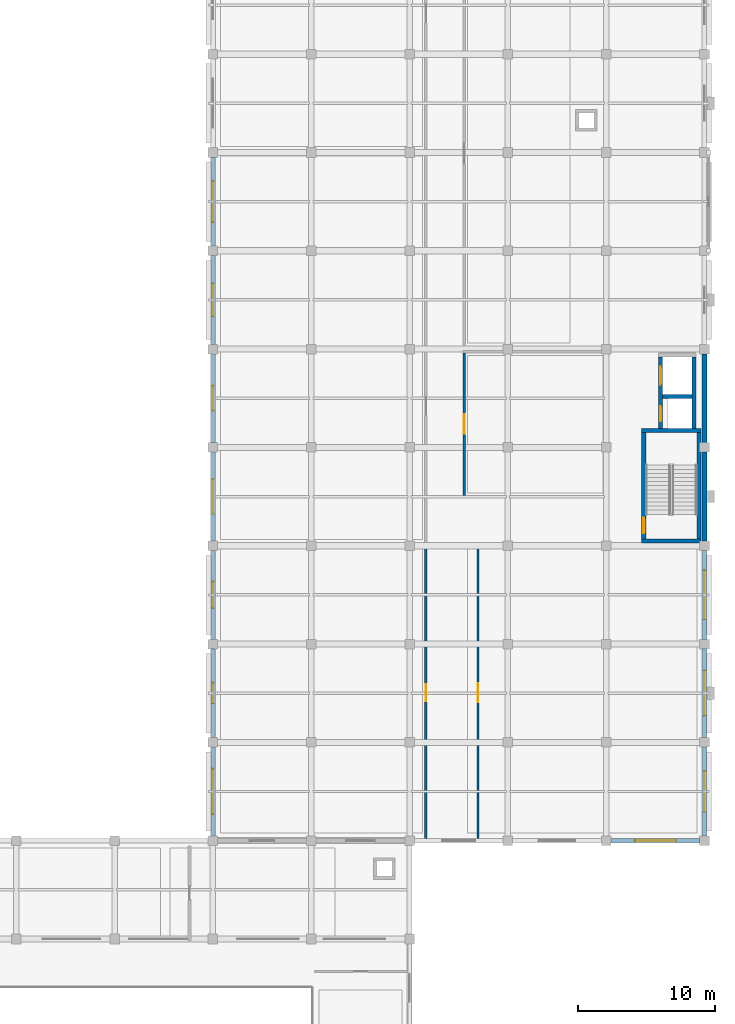
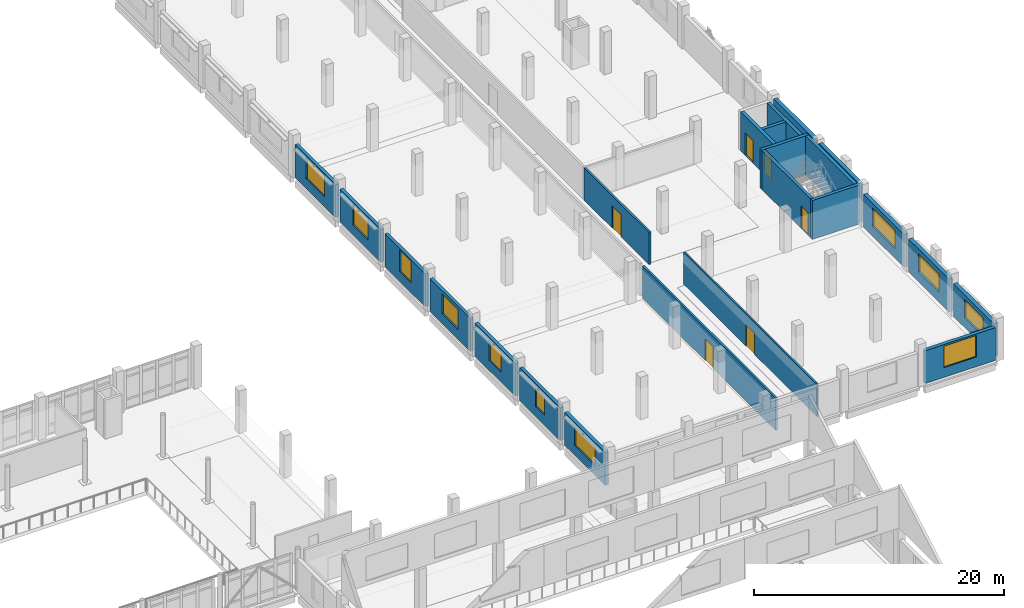
# One storey, part 46 of 62: 23 walls, 11 windows, 6 doors, 17 openings.
"""IFC4 building model written with IfcOpenShell, lengths in metres."""

from ifc_helpers import new_model, si_unit, direction, frame, frame_2d, origin, place, context, subcontext, project, spatial, rectangle, extrude, material, layer, layer_set, type_object, element, fill, save


model = new_model("IFC4")

# Units and contexts
model_context = context("Model", 3, precision=1e-05, world=origin(), true_north=direction((0.0, 1.0)))
body_context = subcontext(model_context, "Body", "Model", "MODEL_VIEW")
ifc_project = project(units=[si_unit("LENGTHUNIT", "METRE"), si_unit("AREAUNIT", "SQUARE_METRE"), si_unit("VOLUMEUNIT", "CUBIC_METRE"), si_unit("PLANEANGLEUNIT", "RADIAN"), si_unit("MASSUNIT", "GRAM", prefix="KILO")], contexts=[model_context])

# Site, building, storey
site_placement = place(None, origin())
site = spatial("IfcSite", under=ifc_project, at=site_placement, CompositionType="ELEMENT")
building_placement = place(site_placement, origin())
building = spatial("IfcBuilding", under=site, at=building_placement, Name="Valkovuoma Quantum and Materials Research Institute", CompositionType="ELEMENT")
storey_placement = place(building_placement, frame((0.0, 0.0, 8.9599609375)))
storey = spatial("IfcBuildingStorey", under=building, at=storey_placement, Name="L02", CompositionType="ELEMENT", Elevation=8.9599609375)

# Walls
ifc_material_1 = material(Name="Concrete C40/50", Category="concrete")
ifc_layer_1 = layer(ifc_material_1, 0.300048828125)
ifc_layer_set_1 = layer_set([ifc_layer_1], Name="Concrete C40/50")
wall_type_1 = type_object("IfcWallType", Name="Wall-W-COR300", PredefinedType="SHEAR", material=ifc_layer_set_1)
for number, where, z_axis, x_axis, name in (
    (1, (161.0, 57.949951171875, 0.0), (0.0, 0.0, 1.0), (1.0, 0.0, 0.0), "L02 core wall 0223"),
    (2, (161.0, 66.050048828125, 0.0), (0.0, 0.0, 1.0), (1.0, 0.0, 0.0), "L02 core wall 0224"),
):
    element("IfcWall", number, at=place(storey_placement, frame(where, z_axis=z_axis, x_axis=x_axis)), inside=storey, type_object=wall_type_1, Name=name, PredefinedType="SHEAR", context=body_context, shape_type="SweptSolid", body=[
        extrude(rectangle(XDim=4.35009765625, YDim=0.300048828125, at=frame_2d((2.175048828125, 0.0))), origin(), (0.0, 0.0, 1.0), 3.81005859375),
    ])

# Wall, opening, door
wall_1_placement = place(storey_placement, frame((161.14990234375, 58.10009765625, 0.0), z_axis=(0.0, 0.0, 1.0), x_axis=(0.0, 1.0, 0.0)))
wall_1 = element("IfcWall", 3, at=wall_1_placement, inside=storey, type_object=wall_type_1, Name="L02 core wall 0225", PredefinedType="SHEAR", context=body_context, shape_type="SweptSolid", body=[
    extrude(rectangle(XDim=7.7998046875, YDim=0.300048828125, at=frame_2d((3.89990234375, 0.0))), origin(), (0.0, 0.0, 1.0), 3.81005859375),
])
opening_1_placement = place(wall_1_placement, frame((0.39990234375, 0.0, 0.0)))
opening_1 = element("IfcOpeningElement", 4, at=opening_1_placement, cuts=wall_1, Name="Opening SD-037", PredefinedType="OPENING", context=body_context, shape_type="SweptSolid", body=[
    extrude(rectangle(XDim=1.14990234375, YDim=2.199951171875, at=frame_2d((0.574951171875, 1.10009765625))), frame((0.0, 0.16015625, 0.0), z_axis=(0.0, -1.0, 0.0), x_axis=(1.0, 0.0, 0.0)), (0.0, 0.0, 1.0), 0.320068359375),
])
ifc_material_2 = material(Name="Powder-coated steel and acoustic timber door assembly", Category="steel")
door_type_1 = type_object("IfcDoorType", Name="Door-DR-ST60", OperationType="NOTDEFINED", PredefinedType="DOOR", material=ifc_material_2)
door_1_placement = place(opening_1_placement, frame((1.14990234375, 0.0, 0.0), z_axis=(0.0, 0.0, 1.0), x_axis=(-1.0, 0.0, 0.0)))
door_1 = element("IfcDoor", 5, at=door_1_placement, inside=storey, type_object=door_type_1, Name="L02 ST-3 fire door", OperationType="SINGLE_SWING_RIGHT", OverallHeight=2.199951171875, OverallWidth=1.14990234375, PredefinedType="DOOR", context=body_context, shape_type="SweptSolid", body=[
    extrude(rectangle(XDim=1.14990234375, YDim=2.199951171875, at=frame_2d((0.574951171875, 1.10009765625))), frame((0.0, 0.02490234375, 0.0), z_axis=(0.0, -1.0, 0.0), x_axis=(1.0, 0.0, 0.0)), (0.0, 0.0, 1.0), 0.050048828125),
])
fill(opening_1, door_1)

# Walls
wall_2_placement = place(storey_placement, frame((165.199951171875, 58.10009765625, 0.0), z_axis=(0.0, 0.0, 1.0), x_axis=(0.0, 1.0, 0.0)))
element("IfcWall", 6, at=wall_2_placement, inside=storey, type_object=wall_type_1, Name="L02 core wall 0226", PredefinedType="SHEAR", context=body_context, shape_type="SweptSolid", body=[
    extrude(rectangle(XDim=7.7998046875, YDim=0.300048828125, at=frame_2d((3.89990234375, 0.0))), origin(), (0.0, 0.0, 1.0), 3.81005859375),
])
wall_3_placement = place(storey_placement, frame((162.52001953125, 68.52490234375, 0.0), z_axis=(0.0, 0.0, 1.0), x_axis=(1.0, 0.0, 0.0)))
element("IfcWall", 7, at=wall_3_placement, inside=storey, type_object=wall_type_1, Name="L02 core wall 0228", PredefinedType="SHEAR", context=body_context, shape_type="SweptSolid", body=[
    extrude(rectangle(XDim=2.159912109375, YDim=0.300048828125, at=frame_2d((1.080078125, 0.0))), origin(), (0.0, 0.0, 1.0), 3.81005859375),
])

# Wall, openings, doors
wall_4_placement = place(storey_placement, frame((162.3701171875, 66.199951171875, 0.0), z_axis=(0.0, 0.0, 1.0), x_axis=(0.0, 1.0, 0.0)))
wall_4 = element("IfcWall", 8, at=wall_4_placement, inside=storey, type_object=wall_type_1, Name="L02 core wall 0229", PredefinedType="SHEAR", context=body_context, shape_type="SweptSolid", body=[
    extrude(rectangle(XDim=5.22998046875, YDim=0.300048828125, at=frame_2d((2.614990234375, 0.0))), origin(), (0.0, 0.0, 1.0), 3.81005859375),
])
opening_2_placement = place(wall_4_placement, frame((0.5, 0.0, 0.0)))
opening_2 = element("IfcOpeningElement", 9, at=opening_2_placement, cuts=wall_4, Name="Opening LD-040", PredefinedType="OPENING", context=body_context, shape_type="SweptSolid", body=[
    extrude(rectangle(XDim=1.10009765625, YDim=2.199951171875, at=frame_2d((0.550048828125, 1.10009765625))), frame((0.0, 0.16015625, 0.0), z_axis=(0.0, -1.0, 0.0), x_axis=(1.0, 0.0, 0.0)), (0.0, 0.0, 1.0), 0.320068359375),
])
opening_3_placement = place(wall_4_placement, frame((3.199951171875, 0.0, 0.0)))
opening_3 = element("IfcOpeningElement", 10, at=opening_3_placement, cuts=wall_4, Name="Opening LD-041", PredefinedType="OPENING", context=body_context, shape_type="SweptSolid", body=[
    extrude(rectangle(XDim=1.300048828125, YDim=2.199951171875, at=frame_2d((0.64990234375, 1.10009765625))), frame((0.0, 0.16015625, 0.0), z_axis=(0.0, -1.0, 0.0), x_axis=(1.0, 0.0, 0.0)), (0.0, 0.0, 1.0), 0.320068359375),
])
ifc_material_3 = material(Name="Powder-coated steel and acoustic timber door assembly", Category="steel")
door_type_2 = type_object("IfcDoorType", Name="Door-DR-LD01", OperationType="NOTDEFINED", PredefinedType="DOOR", material=ifc_material_3)
door_2_placement = place(opening_2_placement, origin())
door_2 = element("IfcDoor", 11, at=door_2_placement, inside=storey, type_object=door_type_2, Name="L02 LIFT-P3 sliding landing door", OperationType="SLIDING_TO_LEFT", OverallHeight=2.199951171875, OverallWidth=1.10009765625, PredefinedType="DOOR", context=body_context, shape_type="SweptSolid", body=[
    extrude(rectangle(XDim=1.10009765625, YDim=2.199951171875, at=frame_2d((0.550048828125, 1.10009765625))), frame((0.0, 0.02490234375, 0.0), z_axis=(0.0, -1.0, 0.0), x_axis=(1.0, 0.0, 0.0)), (0.0, 0.0, 1.0), 0.050048828125),
])
fill(opening_2, door_2)
ifc_material_4 = material(Name="Powder-coated steel and acoustic timber door assembly", Category="steel")
door_type_3 = type_object("IfcDoorType", Name="Door-DR-LD02", OperationType="NOTDEFINED", PredefinedType="DOOR", material=ifc_material_4)
door_3_placement = place(opening_3_placement, origin())
door_3 = element("IfcDoor", 12, at=door_3_placement, inside=storey, type_object=door_type_3, Name="L02 LIFT-G1 sliding landing door", OperationType="SLIDING_TO_LEFT", OverallHeight=2.199951171875, OverallWidth=1.300048828125, PredefinedType="DOOR", context=body_context, shape_type="SweptSolid", body=[
    extrude(rectangle(XDim=1.300048828125, YDim=2.199951171875, at=frame_2d((0.64990234375, 1.10009765625))), frame((0.0, 0.02490234375, 0.0), z_axis=(0.0, -1.0, 0.0), x_axis=(1.0, 0.0, 0.0)), (0.0, 0.0, 1.0), 0.050048828125),
])
fill(opening_3, door_3)

# Wall
wall_5_placement = place(storey_placement, frame((164.830078125, 66.199951171875, 0.0), z_axis=(0.0, 0.0, 1.0), x_axis=(0.0, 1.0, 0.0)))
element("IfcWall", 13, at=wall_5_placement, inside=storey, type_object=wall_type_1, Name="L02 core wall 0230", PredefinedType="SHEAR", context=body_context, shape_type="SweptSolid", body=[
    extrude(rectangle(XDim=5.22998046875, YDim=0.300048828125, at=frame_2d((2.614990234375, 0.0))), origin(), (0.0, 0.0, 1.0), 3.81005859375),
])

# Wall, opening, window
ifc_material_5 = material(Name="Precast concrete C40/50", Category="concrete")
ifc_layer_2 = layer(ifc_material_5, 0.300048828125)
ifc_layer_set_2 = layer_set([ifc_layer_2], Name="Precast concrete C40/50")
wall_type_2 = type_object("IfcWallType", Name="Wall-W-EXT300", PredefinedType="SOLIDWALL", material=ifc_layer_set_2)
wall_6_placement = place(storey_placement, frame((129.60009765625, 36.340087890625, 0.0), z_axis=(0.0, 0.0, 1.0), x_axis=(0.0, 1.0, 0.0)))
wall_6 = element("IfcWall", 14, at=wall_6_placement, inside=storey, type_object=wall_type_2, Name="L02 exterior wall 0253", PredefinedType="SOLIDWALL", context=body_context, shape_type="SweptSolid", body=[
    extrude(rectangle(XDim=6.52001953125, YDim=0.300048828125, at=frame_2d((3.260009765625, 0.0))), origin(), (0.0, 0.0, 1.0), 3.2099609375),
])
opening_4_placement = place(wall_6_placement, frame((1.610107421875, 0.0, 0.949951171875)))
opening_4 = element("IfcOpeningElement", 15, at=opening_4_placement, cuts=wall_6, Name="Opening WN-WL13", PredefinedType="OPENING", context=body_context, shape_type="SweptSolid", body=[
    extrude(rectangle(XDim=3.300048828125, YDim=1.800048828125, at=frame_2d((1.64990234375, 0.89990234375))), frame((0.0, 0.16015625, 0.0), z_axis=(0.0, -1.0, 0.0), x_axis=(1.0, 0.0, 0.0)), (0.0, 0.0, 1.0), 0.320068359375),
])
ifc_material_6 = material(Name="Triple low-E argon glazing in thermally broken aluminium frame", Category="aluminium")
window_type_1 = type_object("IfcWindowType", Name="Win-WN-WL13", PartitioningType="SINGLE_PANEL", PredefinedType="WINDOW", material=ifc_material_6)
window_1_placement = place(opening_4_placement, origin())
window_1 = element("IfcWindow", 16, at=window_1_placement, inside=storey, type_object=window_type_1, Name="L02 window 0269", OverallHeight=1.800048828125, OverallWidth=3.300048828125, PartitioningType="SINGLE_PANEL", PredefinedType="WINDOW", context=body_context, shape_type="SweptSolid", body=[
    extrude(rectangle(XDim=3.300048828125, YDim=1.800048828125, at=frame_2d((1.64990234375, 0.89990234375))), frame((0.0, 0.030029296875, 0.0), z_axis=(0.0, -1.0, 0.0), x_axis=(1.0, 0.0, 0.0)), (0.0, 0.0, 1.0), 0.06005859375),
])
fill(opening_4, window_1)

wall_7_placement = place(storey_placement, frame((129.60009765625, 43.5400390625, 0.0), z_axis=(0.0, 0.0, 1.0), x_axis=(0.0, 1.0, 0.0)))
wall_7 = element("IfcWall", 17, at=wall_7_placement, inside=storey, type_object=wall_type_2, Name="L02 exterior wall 0254", PredefinedType="SOLIDWALL", context=body_context, shape_type="SweptSolid", body=[
    extrude(rectangle(XDim=6.52001953125, YDim=0.300048828125, at=frame_2d((3.260009765625, 0.0))), origin(), (0.0, 0.0, 1.0), 3.2099609375),
])
opening_5_placement = place(wall_7_placement, frame((2.510009765625, 0.0, 0.949951171875)))
opening_5 = element("IfcOpeningElement", 18, at=opening_5_placement, cuts=wall_7, Name="Opening WN-WL15", PredefinedType="OPENING", context=body_context, shape_type="SweptSolid", body=[
    extrude(rectangle(XDim=1.5, YDim=1.800048828125, at=frame_2d((0.75, 0.89990234375))), frame((0.0, 0.16015625, 0.0), z_axis=(0.0, -1.0, 0.0), x_axis=(1.0, 0.0, 0.0)), (0.0, 0.0, 1.0), 0.320068359375),
])
ifc_material_7 = material(Name="Triple low-E argon glazing in thermally broken aluminium frame", Category="aluminium")
window_type_2 = type_object("IfcWindowType", Name="Win-WN-WL15", PartitioningType="SINGLE_PANEL", PredefinedType="WINDOW", material=ifc_material_7)
window_2_placement = place(opening_5_placement, origin())
window_2 = element("IfcWindow", 19, at=window_2_placement, inside=storey, type_object=window_type_2, Name="L02 window 0270", OverallHeight=1.800048828125, OverallWidth=1.5, PartitioningType="SINGLE_PANEL", PredefinedType="WINDOW", context=body_context, shape_type="SweptSolid", body=[
    extrude(rectangle(XDim=1.5, YDim=1.800048828125, at=frame_2d((0.75, 0.89990234375))), frame((0.0, 0.030029296875, 0.0), z_axis=(0.0, -1.0, 0.0), x_axis=(1.0, 0.0, 0.0)), (0.0, 0.0, 1.0), 0.06005859375),
])
fill(opening_5, window_2)

wall_8_placement = place(storey_placement, frame((129.60009765625, 50.739990234375, 0.0), z_axis=(0.0, 0.0, 1.0), x_axis=(0.0, 1.0, 0.0)))
wall_8 = element("IfcWall", 20, at=wall_8_placement, inside=storey, type_object=wall_type_2, Name="L02 exterior wall 0255", PredefinedType="SOLIDWALL", context=body_context, shape_type="SweptSolid", body=[
    extrude(rectangle(XDim=6.52001953125, YDim=0.300048828125, at=frame_2d((3.260009765625, 0.0))), origin(), (0.0, 0.0, 1.0), 3.2099609375),
])
opening_6_placement = place(wall_8_placement, frame((2.284912109375, 0.0, 0.949951171875)))
opening_6 = element("IfcOpeningElement", 21, at=opening_6_placement, cuts=wall_8, Name="Opening WN-WL17", PredefinedType="OPENING", context=body_context, shape_type="SweptSolid", body=[
    extrude(rectangle(XDim=1.949951171875, YDim=1.949951171875, at=frame_2d((0.97509765625, 0.97509765625))), frame((0.0, 0.16015625, 0.0), z_axis=(0.0, -1.0, 0.0), x_axis=(1.0, 0.0, 0.0)), (0.0, 0.0, 1.0), 0.320068359375),
])
ifc_material_8 = material(Name="Triple low-E argon glazing in thermally broken aluminium frame", Category="aluminium")
window_type_3 = type_object("IfcWindowType", Name="Win-WN-WL17", PartitioningType="SINGLE_PANEL", PredefinedType="WINDOW", material=ifc_material_8)
window_3_placement = place(opening_6_placement, origin())
window_3 = element("IfcWindow", 22, at=window_3_placement, inside=storey, type_object=window_type_3, Name="L02 window 0271", OverallHeight=1.949951171875, OverallWidth=1.949951171875, PartitioningType="SINGLE_PANEL", PredefinedType="WINDOW", context=body_context, shape_type="SweptSolid", body=[
    extrude(rectangle(XDim=1.949951171875, YDim=1.949951171875, at=frame_2d((0.97509765625, 0.97509765625))), frame((0.0, 0.030029296875, 0.0), z_axis=(0.0, -1.0, 0.0), x_axis=(1.0, 0.0, 0.0)), (0.0, 0.0, 1.0), 0.06005859375),
])
fill(opening_6, window_3)

wall_9_placement = place(storey_placement, frame((129.60009765625, 57.93994140625, 0.0), z_axis=(0.0, 0.0, 1.0), x_axis=(0.0, 1.0, 0.0)))
wall_9 = element("IfcWall", 23, at=wall_9_placement, inside=storey, type_object=wall_type_2, Name="L02 exterior wall 0256", PredefinedType="SOLIDWALL", context=body_context, shape_type="SweptSolid", body=[
    extrude(rectangle(XDim=6.52001953125, YDim=0.300048828125, at=frame_2d((3.260009765625, 0.0))), origin(), (0.0, 0.0, 1.0), 3.2099609375),
])
opening_7_placement = place(wall_9_placement, frame((1.985107421875, 0.0, 0.949951171875)))
opening_7 = element("IfcOpeningElement", 24, at=opening_7_placement, cuts=wall_9, Name="Opening WN-WL19", PredefinedType="OPENING", context=body_context, shape_type="SweptSolid", body=[
    extrude(rectangle(XDim=2.550048828125, YDim=1.949951171875, at=frame_2d((1.27490234375, 0.97509765625))), frame((0.0, 0.16015625, 0.0), z_axis=(0.0, -1.0, 0.0), x_axis=(1.0, 0.0, 0.0)), (0.0, 0.0, 1.0), 0.320068359375),
])
ifc_material_9 = material(Name="Triple low-E argon glazing in thermally broken aluminium frame", Category="aluminium")
window_type_4 = type_object("IfcWindowType", Name="Win-WN-WL19", PartitioningType="SINGLE_PANEL", PredefinedType="WINDOW", material=ifc_material_9)
window_4_placement = place(opening_7_placement, origin())
window_4 = element("IfcWindow", 25, at=window_4_placement, inside=storey, type_object=window_type_4, Name="L02 window 0272", OverallHeight=1.949951171875, OverallWidth=2.550048828125, PartitioningType="SINGLE_PANEL", PredefinedType="WINDOW", context=body_context, shape_type="SweptSolid", body=[
    extrude(rectangle(XDim=2.550048828125, YDim=1.949951171875, at=frame_2d((1.27490234375, 0.97509765625))), frame((0.0, 0.030029296875, 0.0), z_axis=(0.0, -1.0, 0.0), x_axis=(1.0, 0.0, 0.0)), (0.0, 0.0, 1.0), 0.06005859375),
])
fill(opening_7, window_4)

wall_10_placement = place(storey_placement, frame((129.60009765625, 65.139892578125, 0.0), z_axis=(0.0, 0.0, 1.0), x_axis=(0.0, 1.0, 0.0)))
wall_10 = element("IfcWall", 26, at=wall_10_placement, inside=storey, type_object=wall_type_2, Name="L02 exterior wall 0257", PredefinedType="SOLIDWALL", context=body_context, shape_type="SweptSolid", body=[
    extrude(rectangle(XDim=6.52001953125, YDim=0.300048828125, at=frame_2d((3.260009765625, 0.0))), origin(), (0.0, 0.0, 1.0), 3.2099609375),
])
opening_8_placement = place(wall_10_placement, frame((2.360107421875, 0.0, 0.949951171875)))
opening_8 = element("IfcOpeningElement", 27, at=opening_8_placement, cuts=wall_10, Name="Opening WN-WL01", PredefinedType="OPENING", context=body_context, shape_type="SweptSolid", body=[
    extrude(rectangle(XDim=1.800048828125, YDim=2.10009765625, at=frame_2d((0.89990234375, 1.050048828125))), frame((0.0, 0.16015625, 0.0), z_axis=(0.0, -1.0, 0.0), x_axis=(1.0, 0.0, 0.0)), (0.0, 0.0, 1.0), 0.320068359375),
])
ifc_material_10 = material(Name="Triple low-E argon glazing in thermally broken aluminium frame", Category="aluminium")
window_type_5 = type_object("IfcWindowType", Name="Win-WN-WL01", PartitioningType="SINGLE_PANEL", PredefinedType="WINDOW", material=ifc_material_10)
window_5_placement = place(opening_8_placement, origin())
window_5 = element("IfcWindow", 28, at=window_5_placement, inside=storey, type_object=window_type_5, Name="L02 window 0273", OverallHeight=2.10009765625, OverallWidth=1.800048828125, PartitioningType="SINGLE_PANEL", PredefinedType="WINDOW", context=body_context, shape_type="SweptSolid", body=[
    extrude(rectangle(XDim=1.800048828125, YDim=2.10009765625, at=frame_2d((0.89990234375, 1.050048828125))), frame((0.0, 0.030029296875, 0.0), z_axis=(0.0, -1.0, 0.0), x_axis=(1.0, 0.0, 0.0)), (0.0, 0.0, 1.0), 0.06005859375),
])
fill(opening_8, window_5)

wall_11_placement = place(storey_placement, frame((129.60009765625, 72.340087890625, 0.0), z_axis=(0.0, 0.0, 1.0), x_axis=(0.0, 1.0, 0.0)))
wall_11 = element("IfcWall", 29, at=wall_11_placement, inside=storey, type_object=wall_type_2, Name="L02 exterior wall 0258", PredefinedType="SOLIDWALL", context=body_context, shape_type="SweptSolid", body=[
    extrude(rectangle(XDim=6.52001953125, YDim=0.300048828125, at=frame_2d((3.260009765625, 0.0))), origin(), (0.0, 0.0, 1.0), 3.2099609375),
])
opening_9_placement = place(wall_11_placement, frame((2.06005859375, 0.0, 0.949951171875)))
opening_9 = element("IfcOpeningElement", 30, at=opening_9_placement, cuts=wall_11, Name="Opening WN-WL03", PredefinedType="OPENING", context=body_context, shape_type="SweptSolid", body=[
    extrude(rectangle(XDim=2.39990234375, YDim=2.10009765625, at=frame_2d((1.199951171875, 1.050048828125))), frame((0.0, 0.16015625, 0.0), z_axis=(0.0, -1.0, 0.0), x_axis=(1.0, 0.0, 0.0)), (0.0, 0.0, 1.0), 0.320068359375),
])
ifc_material_11 = material(Name="Triple low-E argon glazing in thermally broken aluminium frame", Category="aluminium")
window_type_6 = type_object("IfcWindowType", Name="Win-WN-WL03", PartitioningType="SINGLE_PANEL", PredefinedType="WINDOW", material=ifc_material_11)
window_6_placement = place(opening_9_placement, origin())
window_6 = element("IfcWindow", 31, at=window_6_placement, inside=storey, type_object=window_type_6, Name="L02 window 0274", OverallHeight=2.10009765625, OverallWidth=2.39990234375, PartitioningType="SINGLE_PANEL", PredefinedType="WINDOW", context=body_context, shape_type="SweptSolid", body=[
    extrude(rectangle(XDim=2.39990234375, YDim=2.10009765625, at=frame_2d((1.199951171875, 1.050048828125))), frame((0.0, 0.030029296875, 0.0), z_axis=(0.0, -1.0, 0.0), x_axis=(1.0, 0.0, 0.0)), (0.0, 0.0, 1.0), 0.06005859375),
])
fill(opening_9, window_6)

wall_12_placement = place(storey_placement, frame((129.60009765625, 79.5400390625, 0.0), z_axis=(0.0, 0.0, 1.0), x_axis=(0.0, 1.0, 0.0)))
wall_12 = element("IfcWall", 32, at=wall_12_placement, inside=storey, type_object=wall_type_2, Name="L02 exterior wall 0259", PredefinedType="SOLIDWALL", context=body_context, shape_type="SweptSolid", body=[
    extrude(rectangle(XDim=6.52001953125, YDim=0.300048828125, at=frame_2d((3.260009765625, 0.0))), origin(), (0.0, 0.0, 1.0), 3.2099609375),
])
opening_10_placement = place(wall_12_placement, frame((1.760009765625, 0.0, 0.949951171875)))
opening_10 = element("IfcOpeningElement", 33, at=opening_10_placement, cuts=wall_12, Name="Opening WN-WL05", PredefinedType="OPENING", context=body_context, shape_type="SweptSolid", body=[
    extrude(rectangle(XDim=3.0, YDim=2.10009765625, at=frame_2d((1.5, 1.050048828125))), frame((0.0, 0.16015625, 0.0), z_axis=(0.0, -1.0, 0.0), x_axis=(1.0, 0.0, 0.0)), (0.0, 0.0, 1.0), 0.320068359375),
])
ifc_material_12 = material(Name="Triple low-E argon glazing in thermally broken aluminium frame", Category="aluminium")
window_type_7 = type_object("IfcWindowType", Name="Win-WN-WL05", PartitioningType="SINGLE_PANEL", PredefinedType="WINDOW", material=ifc_material_12)
window_7_placement = place(opening_10_placement, origin())
window_7 = element("IfcWindow", 34, at=window_7_placement, inside=storey, type_object=window_type_7, Name="L02 window 0275", OverallHeight=2.10009765625, OverallWidth=3.0, PartitioningType="SINGLE_PANEL", PredefinedType="WINDOW", context=body_context, shape_type="SweptSolid", body=[
    extrude(rectangle(XDim=3.0, YDim=2.10009765625, at=frame_2d((1.5, 1.050048828125))), frame((0.0, 0.030029296875, 0.0), z_axis=(0.0, -1.0, 0.0), x_axis=(1.0, 0.0, 0.0)), (0.0, 0.0, 1.0), 0.06005859375),
])
fill(opening_10, window_7)

ifc_material_13 = material(Name="Precast concrete C40/50", Category="concrete")
ifc_layer_3 = layer(ifc_material_13, 0.320068359375)
ifc_layer_set_3 = layer_set([ifc_layer_3], Name="Precast concrete C40/50")
wall_type_3 = type_object("IfcWallType", Name="Wall-W-EXT320", PredefinedType="SOLIDWALL", material=ifc_layer_set_3)
wall_13_placement = place(storey_placement, frame((158.739990234375, 36.0, 0.0), z_axis=(0.0, 0.0, 1.0), x_axis=(1.0, 0.0, 0.0)))
wall_13 = element("IfcWall", 35, at=wall_13_placement, inside=storey, type_object=wall_type_3, Name="L02 exterior wall 0268", PredefinedType="SOLIDWALL", context=body_context, shape_type="SweptSolid", body=[
    extrude(rectangle(XDim=6.52001953125, YDim=0.320068359375, at=frame_2d((3.260009765625, 0.0))), origin(), (0.0, 0.0, 1.0), 3.2099609375),
])
opening_11_placement = place(wall_13_placement, frame((1.760009765625, 0.0, 0.949951171875)))
opening_11 = element("IfcOpeningElement", 36, at=opening_11_placement, cuts=wall_13, Name="Opening WN-WL05", PredefinedType="OPENING", context=body_context, shape_type="SweptSolid", body=[
    extrude(rectangle(XDim=3.0, YDim=2.10009765625, at=frame_2d((1.5, 1.050048828125))), frame((0.0, 0.169921875, 0.0), z_axis=(0.0, -1.0, 0.0), x_axis=(1.0, 0.0, 0.0)), (0.0, 0.0, 1.0), 0.340087890625),
])
window_8_placement = place(opening_11_placement, origin())
window_8 = element("IfcWindow", 37, at=window_8_placement, inside=storey, type_object=window_type_7, Name="L02 window 0284", OverallHeight=2.10009765625, OverallWidth=3.0, PartitioningType="SINGLE_PANEL", PredefinedType="WINDOW", context=body_context, shape_type="SweptSolid", body=[
    extrude(rectangle(XDim=3.0, YDim=2.10009765625, at=frame_2d((1.5, 1.050048828125))), frame((0.0, 0.030029296875, 0.0), z_axis=(0.0, -1.0, 0.0), x_axis=(1.0, 0.0, 0.0)), (0.0, 0.0, 1.0), 0.06005859375),
])
fill(opening_11, window_8)

ifc_material_14 = material(Name="Precast concrete C40/50", Category="concrete")
ifc_layer_4 = layer(ifc_material_14, 0.360107421875)
ifc_layer_set_4 = layer_set([ifc_layer_4], Name="Precast concrete C40/50")
wall_type_4 = type_object("IfcWallType", Name="Wall-W-EXT360", PredefinedType="SOLIDWALL", material=ifc_layer_set_4)
wall_14_placement = place(storey_placement, frame((165.60009765625, 36.340087890625, 0.0), z_axis=(0.0, 0.0, 1.0), x_axis=(0.0, 1.0, 0.0)))
wall_14 = element("IfcWall", 38, at=wall_14_placement, inside=storey, type_object=wall_type_4, Name="L02 exterior wall 0237", PredefinedType="SOLIDWALL", context=body_context, shape_type="SweptSolid", body=[
    extrude(rectangle(XDim=6.52001953125, YDim=0.360107421875, at=frame_2d((3.260009765625, 0.0))), origin(), (0.0, 0.0, 1.0), 3.2099609375),
])
opening_12_placement = place(wall_14_placement, frame((1.760009765625, 0.0, 0.949951171875)))
opening_12 = element("IfcOpeningElement", 39, at=opening_12_placement, cuts=wall_14, Name="Opening WN-WL12", PredefinedType="OPENING", context=body_context, shape_type="SweptSolid", body=[
    extrude(rectangle(XDim=3.0, YDim=1.800048828125, at=frame_2d((1.5, 0.89990234375))), frame((0.0, 0.18994140625, 0.0), z_axis=(0.0, -1.0, 0.0), x_axis=(1.0, 0.0, 0.0)), (0.0, 0.0, 1.0), 0.380126953125),
])
ifc_material_15 = material(Name="Triple low-E argon glazing in thermally broken aluminium frame", Category="aluminium")
window_type_8 = type_object("IfcWindowType", Name="Win-WN-WL12", PartitioningType="SINGLE_PANEL", PredefinedType="WINDOW", material=ifc_material_15)
window_9_placement = place(opening_12_placement, origin())
window_9 = element("IfcWindow", 40, at=window_9_placement, inside=storey, type_object=window_type_8, Name="L02 window 0258", OverallHeight=1.800048828125, OverallWidth=3.0, PartitioningType="SINGLE_PANEL", PredefinedType="WINDOW", context=body_context, shape_type="SweptSolid", body=[
    extrude(rectangle(XDim=3.0, YDim=1.800048828125, at=frame_2d((1.5, 0.89990234375))), frame((0.0, 0.030029296875, 0.0), z_axis=(0.0, -1.0, 0.0), x_axis=(1.0, 0.0, 0.0)), (0.0, 0.0, 1.0), 0.06005859375),
])
fill(opening_12, window_9)

wall_15_placement = place(storey_placement, frame((165.60009765625, 43.5400390625, 0.0), z_axis=(0.0, 0.0, 1.0), x_axis=(0.0, 1.0, 0.0)))
wall_15 = element("IfcWall", 41, at=wall_15_placement, inside=storey, type_object=wall_type_4, Name="L02 exterior wall 0238", PredefinedType="SOLIDWALL", context=body_context, shape_type="SweptSolid", body=[
    extrude(rectangle(XDim=6.52001953125, YDim=0.360107421875, at=frame_2d((3.260009765625, 0.0))), origin(), (0.0, 0.0, 1.0), 3.2099609375),
])
opening_13_placement = place(wall_15_placement, frame((1.610107421875, 0.0, 0.949951171875)))
opening_13 = element("IfcOpeningElement", 42, at=opening_13_placement, cuts=wall_15, Name="Opening WN-WL13", PredefinedType="OPENING", context=body_context, shape_type="SweptSolid", body=[
    extrude(rectangle(XDim=3.300048828125, YDim=1.800048828125, at=frame_2d((1.64990234375, 0.89990234375))), frame((0.0, 0.18994140625, 0.0), z_axis=(0.0, -1.0, 0.0), x_axis=(1.0, 0.0, 0.0)), (0.0, 0.0, 1.0), 0.380126953125),
])
window_10_placement = place(opening_13_placement, origin())
window_10 = element("IfcWindow", 43, at=window_10_placement, inside=storey, type_object=window_type_1, Name="L02 window 0259", OverallHeight=1.800048828125, OverallWidth=3.300048828125, PartitioningType="SINGLE_PANEL", PredefinedType="WINDOW", context=body_context, shape_type="SweptSolid", body=[
    extrude(rectangle(XDim=3.300048828125, YDim=1.800048828125, at=frame_2d((1.64990234375, 0.89990234375))), frame((0.0, 0.030029296875, 0.0), z_axis=(0.0, -1.0, 0.0), x_axis=(1.0, 0.0, 0.0)), (0.0, 0.0, 1.0), 0.06005859375),
])
fill(opening_13, window_10)

wall_16_placement = place(storey_placement, frame((165.60009765625, 50.739990234375, 0.0), z_axis=(0.0, 0.0, 1.0), x_axis=(0.0, 1.0, 0.0)))
wall_16 = element("IfcWall", 44, at=wall_16_placement, inside=storey, type_object=wall_type_4, Name="L02 exterior wall 0239", PredefinedType="SOLIDWALL", context=body_context, shape_type="SweptSolid", body=[
    extrude(rectangle(XDim=6.52001953125, YDim=0.360107421875, at=frame_2d((3.260009765625, 0.0))), origin(), (0.0, 0.0, 1.0), 3.2099609375),
])
opening_14_placement = place(wall_16_placement, frame((1.4599609375, 0.0, 0.949951171875)))
opening_14 = element("IfcOpeningElement", 45, at=opening_14_placement, cuts=wall_16, Name="Opening WN-WL14", PredefinedType="OPENING", context=body_context, shape_type="SweptSolid", body=[
    extrude(rectangle(XDim=3.60009765625, YDim=1.800048828125, at=frame_2d((1.800048828125, 0.89990234375))), frame((0.0, 0.18994140625, 0.0), z_axis=(0.0, -1.0, 0.0), x_axis=(1.0, 0.0, 0.0)), (0.0, 0.0, 1.0), 0.380126953125),
])
ifc_material_16 = material(Name="Triple low-E argon glazing in thermally broken aluminium frame", Category="aluminium")
window_type_9 = type_object("IfcWindowType", Name="Win-WN-WL14", PartitioningType="SINGLE_PANEL", PredefinedType="WINDOW", material=ifc_material_16)
window_11_placement = place(opening_14_placement, origin())
window_11 = element("IfcWindow", 46, at=window_11_placement, inside=storey, type_object=window_type_9, Name="L02 window 0260", OverallHeight=1.800048828125, OverallWidth=3.60009765625, PartitioningType="SINGLE_PANEL", PredefinedType="WINDOW", context=body_context, shape_type="SweptSolid", body=[
    extrude(rectangle(XDim=3.60009765625, YDim=1.800048828125, at=frame_2d((1.800048828125, 0.89990234375))), frame((0.0, 0.030029296875, 0.0), z_axis=(0.0, -1.0, 0.0), x_axis=(1.0, 0.0, 0.0)), (0.0, 0.0, 1.0), 0.06005859375),
])
fill(opening_14, window_11)

# Walls
for number, where, z_axis, x_axis, name in (
    (47, (165.60009765625, 57.93994140625, 0.0), (0.0, 0.0, 1.0), (0.0, 1.0, 0.0), "L02 exterior wall 0240"),
    (48, (165.60009765625, 65.139892578125, 0.0), (0.0, 0.0, 1.0), (0.0, 1.0, 0.0), "L02 exterior wall 0241"),
):
    element("IfcWall", number, at=place(storey_placement, frame(where, z_axis=z_axis, x_axis=x_axis)), inside=storey, type_object=wall_type_4, Name=name, PredefinedType="SOLIDWALL", context=body_context, shape_type="SweptSolid", body=[
        extrude(rectangle(XDim=6.52001953125, YDim=0.360107421875, at=frame_2d((3.260009765625, 0.0))), origin(), (0.0, 0.0, 1.0), 3.81005859375),
    ])

# Wall, opening, door
ifc_material_17 = material(Name="Acoustic write-up studio partition", Category="masonry")
ifc_layer_5 = layer(ifc_material_17, 0.14990234375)
ifc_layer_set_5 = layer_set([ifc_layer_5], Name="Acoustic write-up studio partition")
wall_type_5 = type_object("IfcWallType", Name="Wall-W-PRT150", PredefinedType="PARTITIONING", material=ifc_layer_set_5)
wall_17_placement = place(storey_placement, frame((149.02001953125, 36.159912109375, 0.0), z_axis=(0.0, 0.0, 1.0), x_axis=(0.0, 1.0, 0.0)))
wall_17 = element("IfcWall", 49, at=wall_17_placement, inside=storey, type_object=wall_type_5, Name="L02 partition 0134", PredefinedType="PARTITIONING", context=body_context, shape_type="SweptSolid", body=[
    extrude(rectangle(XDim=21.364990234375, YDim=0.14990234375, at=frame_2d((10.6826171875, 0.0))), origin(), (0.0, 0.0, 1.0), 3.16015625),
])
opening_15_placement = place(wall_17_placement, frame((9.992431640625, 0.0, 0.0)))
opening_15 = element("IfcOpeningElement", 50, at=opening_15_placement, cuts=wall_17, Name="Opening ID-0098", PredefinedType="OPENING", context=body_context, shape_type="SweptSolid", body=[
    extrude(rectangle(XDim=1.3798828125, YDim=2.1201171875, at=frame_2d((0.68994140625, 1.06005859375))), frame((0.0, 0.0849609375, 0.0), z_axis=(0.0, -1.0, 0.0), x_axis=(1.0, 0.0, 0.0)), (0.0, 0.0, 1.0), 0.169921875),
])
ifc_material_18 = material(Name="Powder-coated steel and acoustic timber door assembly", Category="steel")
door_type_4 = type_object("IfcDoorType", Name="Door-DR-RM10", OperationType="NOTDEFINED", PredefinedType="DOOR", material=ifc_material_18)
door_4_placement = place(opening_15_placement, origin())
door_4 = element("IfcDoor", 51, at=door_4_placement, inside=storey, type_object=door_type_4, Name="L02 room door 0098", OperationType="SINGLE_SWING_LEFT", OverallHeight=2.1201171875, OverallWidth=1.3798828125, PredefinedType="DOOR", context=body_context, shape_type="SweptSolid", body=[
    extrude(rectangle(XDim=1.3798828125, YDim=2.1201171875, at=frame_2d((0.68994140625, 1.06005859375))), frame((0.0, 0.02490234375, 0.0), z_axis=(0.0, -1.0, 0.0), x_axis=(1.0, 0.0, 0.0)), (0.0, 0.0, 1.0), 0.050048828125),
])
fill(opening_15, door_4)

ifc_material_19 = material(Name="Laboratory fire-rated gypsum partition", Category="masonry")
ifc_layer_6 = layer(ifc_material_19, 0.179931640625)
ifc_layer_set_6 = layer_set([ifc_layer_6], Name="Laboratory fire-rated gypsum partition")
wall_type_6 = type_object("IfcWallType", Name="Wall-W-PRT180", PredefinedType="PARTITIONING", material=ifc_layer_set_6)
wall_18_placement = place(storey_placement, frame((145.199951171875, 36.159912109375, 0.0), z_axis=(0.0, 0.0, 1.0), x_axis=(0.0, 1.0, 0.0)))
wall_18 = element("IfcWall", 52, at=wall_18_placement, inside=storey, type_object=wall_type_6, Name="L02 partition 0131", PredefinedType="PARTITIONING", context=body_context, shape_type="SweptSolid", body=[
    extrude(rectangle(XDim=21.35009765625, YDim=0.179931640625, at=frame_2d((10.675048828125, 0.0))), origin(), (0.0, 0.0, 1.0), 3.16015625),
])
opening_16_placement = place(wall_18_placement, frame((10.06005859375, 0.0, 0.0)))
opening_16 = element("IfcOpeningElement", 53, at=opening_16_placement, cuts=wall_18, Name="Opening ID-0095", PredefinedType="OPENING", context=body_context, shape_type="SweptSolid", body=[
    extrude(rectangle(XDim=1.22998046875, YDim=2.1201171875, at=frame_2d((0.614990234375, 1.06005859375))), frame((0.0, 0.10009765625, 0.0), z_axis=(0.0, -1.0, 0.0), x_axis=(1.0, 0.0, 0.0)), (0.0, 0.0, 1.0), 0.199951171875),
])
ifc_material_20 = material(Name="Powder-coated steel and acoustic timber door assembly", Category="steel")
door_type_5 = type_object("IfcDoorType", Name="Door-DR-RM07", OperationType="NOTDEFINED", PredefinedType="DOOR", material=ifc_material_20)
door_5_placement = place(opening_16_placement, origin())
door_5 = element("IfcDoor", 54, at=door_5_placement, inside=storey, type_object=door_type_5, Name="L02 room door 0095", OperationType="SINGLE_SWING_RIGHT", OverallHeight=2.1201171875, OverallWidth=1.22998046875, PredefinedType="DOOR", context=body_context, shape_type="SweptSolid", body=[
    extrude(rectangle(XDim=1.22998046875, YDim=2.1201171875, at=frame_2d((0.614990234375, 1.06005859375))), frame((0.0, 0.02490234375, 0.0), z_axis=(0.0, -1.0, 0.0), x_axis=(1.0, 0.0, 0.0)), (0.0, 0.0, 1.0), 0.050048828125),
])
fill(opening_16, door_5)

wall_19_placement = place(storey_placement, frame((148.0, 61.2900390625, 0.0), z_axis=(0.0, 0.0, 1.0), x_axis=(0.0, 1.0, 0.0)))
wall_19 = element("IfcWall", 55, at=wall_19_placement, inside=storey, type_object=wall_type_6, Name="L02 partition 0136", PredefinedType="PARTITIONING", context=body_context, shape_type="SweptSolid", body=[
    extrude(rectangle(XDim=10.419921875, YDim=0.179931640625, at=frame_2d((5.2099609375, 0.0))), origin(), (0.0, 0.0, 1.0), 3.16015625),
])
opening_17_placement = place(wall_19_placement, frame((4.4951171875, 0.0, 0.0)))
opening_17 = element("IfcOpeningElement", 56, at=opening_17_placement, cuts=wall_19, Name="Opening ID-0099", PredefinedType="OPENING", context=body_context, shape_type="SweptSolid", body=[
    extrude(rectangle(XDim=1.429931640625, YDim=2.179931640625, at=frame_2d((0.71484375, 1.08984375))), frame((0.0, 0.10009765625, 0.0), z_axis=(0.0, -1.0, 0.0), x_axis=(1.0, 0.0, 0.0)), (0.0, 0.0, 1.0), 0.199951171875),
])
ifc_material_21 = material(Name="Powder-coated steel and acoustic timber door assembly", Category="steel")
door_type_6 = type_object("IfcDoorType", Name="Door-DR-RM11", OperationType="NOTDEFINED", PredefinedType="DOOR", material=ifc_material_21)
door_6_placement = place(opening_17_placement, origin())
door_6 = element("IfcDoor", 57, at=door_6_placement, inside=storey, type_object=door_type_6, Name="L02 room door 0099", OperationType="SINGLE_SWING_RIGHT", OverallHeight=2.179931640625, OverallWidth=1.429931640625, PredefinedType="DOOR", context=body_context, shape_type="SweptSolid", body=[
    extrude(rectangle(XDim=1.429931640625, YDim=2.179931640625, at=frame_2d((0.71484375, 1.08984375))), frame((0.0, 0.02490234375, 0.0), z_axis=(0.0, -1.0, 0.0), x_axis=(1.0, 0.0, 0.0)), (0.0, 0.0, 1.0), 0.050048828125),
])
fill(opening_17, door_6)

save(model, "model.ifc")
